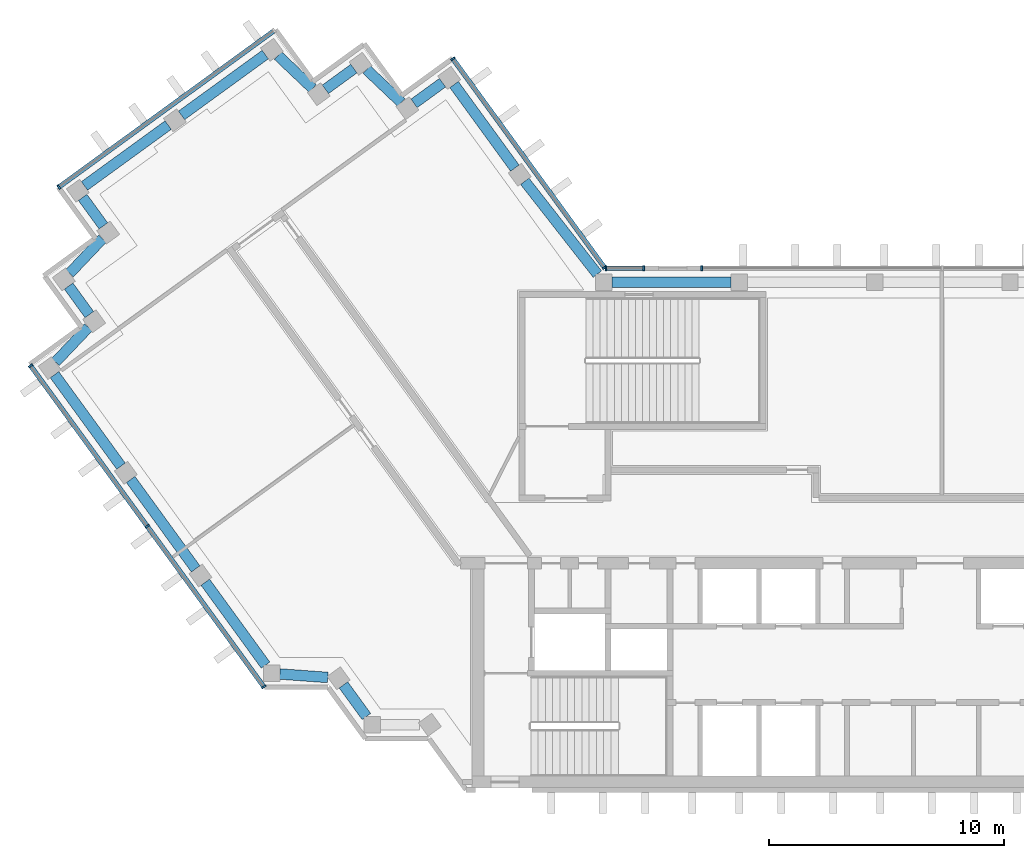
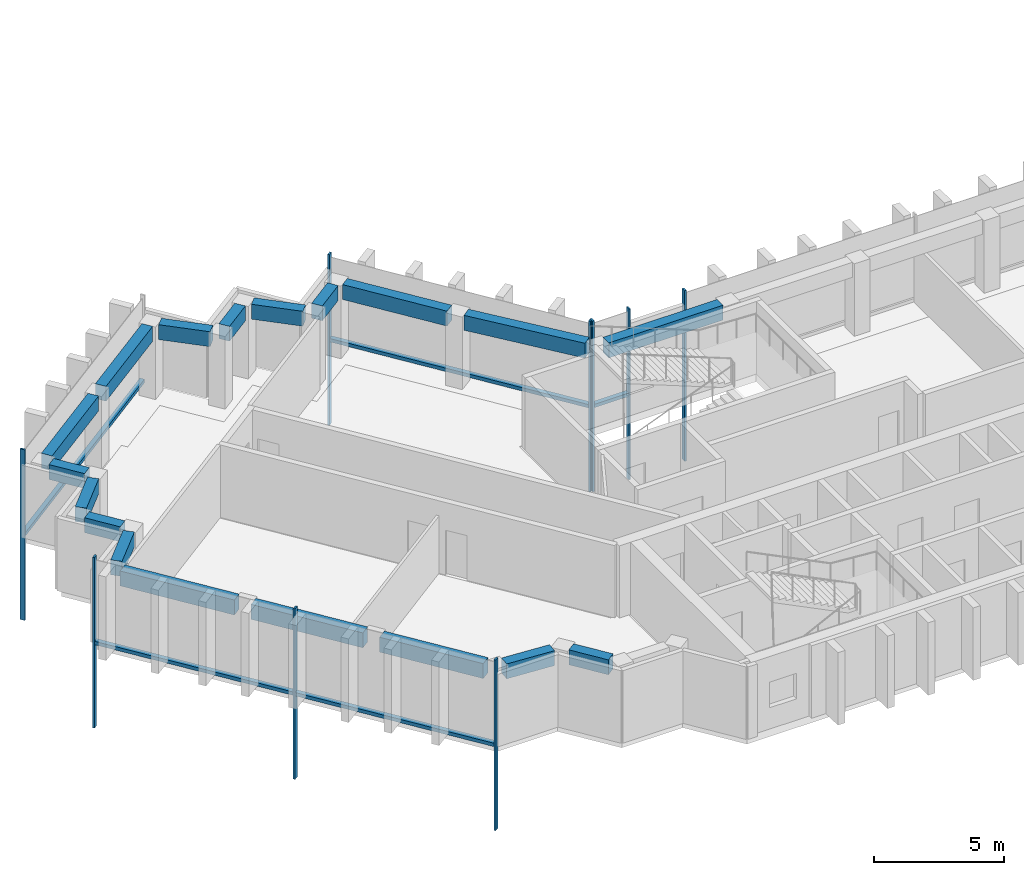
# One storey, part 2 of 13: 18 beams, 14 members, 5 elements without a shape of their own.
"""IFC4 building model written with IfcOpenShell, lengths in metres."""

import ifcopenshell
import ifcopenshell.guid

model = None  # the IFC model being written
_history = None  # IfcOwnerHistory: only IFC2X3 demands one
_inside = {}  # id of a spatial element -> (the spatial element, [elements in it])
_under = {}  # id of a project, library or spatial element -> (it, [spatial elements below it])
_declared = {}  # id of a project -> (the project, [libraries it declares])
_typed = {}  # id of a type object -> (the type object, [elements of that type])
_made_of = {}  # id of a material, layer set ... -> (it, [elements and type objects made of it])


def new_model(schema):
    """Start an empty IFC model of exactly this schema.

    Asked for "IFC4X3", IfcOpenShell would pick the latest addendum, in which some entities
    have other attributes; the version numbers below select the first issue.
    IFC2X3 requires an IfcOwnerHistory on every rooted entity: one is made here for all.
    """
    global model, _history
    if schema == "IFC4X3":
        model = ifcopenshell.file(schema_version=(4, 3, 0, 0))
    else:
        model = ifcopenshell.file(schema=schema)
    _inside.clear()
    _under.clear()
    _declared.clear()
    _typed.clear()
    _made_of.clear()
    _history = None
    if model.schema == "IFC2X3":
        org = make("IfcOrganization", Name="unknown")
        user = make(
            "IfcPersonAndOrganization",
            ThePerson=make("IfcPerson", FamilyName="unknown"),
            TheOrganization=org,
        )
        app = make(
            "IfcApplication",
            ApplicationDeveloper=org,
            Version="unknown",
            ApplicationFullName="unknown",
            ApplicationIdentifier="unknown",
        )
        _history = make(
            "IfcOwnerHistory",
            OwningUser=user,
            OwningApplication=app,
            ChangeAction="ADDED",
            CreationDate=0,
        )
    return model


def make(cls, **values):
    """One entity of the class cls with the attributes given. An attribute that is None is left unset."""
    return model.create_entity(
        cls, **{name: value for name, value in values.items() if value is not None}
    )


def rooted(cls, **values):
    """An entity with a GlobalId (a new one), such as an element, a storey or a relation."""
    return make(cls, GlobalId=ifcopenshell.guid.new(), OwnerHistory=_history, **values)


def si_unit(unit_type, name, prefix=None):
    """IfcSIUnit, for example si_unit("LENGTHUNIT", "METRE", prefix="MILLI")."""
    return make("IfcSIUnit", UnitType=unit_type, Prefix=prefix, Name=name)


def assignment(units):
    """IfcUnitAssignment: the units of a project."""
    return None if units is None else make("IfcUnitAssignment", Units=units)


def point(xyz):
    """IfcCartesianPoint."""
    return None if xyz is None else make("IfcCartesianPoint", Coordinates=xyz)


def direction(xyz):
    """IfcDirection."""
    return None if xyz is None else make("IfcDirection", DirectionRatios=xyz)


def frame(location, z_axis=None, x_axis=None):
    """IfcAxis2Placement3D, a coordinate frame: its origin and axes. An axis left out is left unset."""
    return make(
        "IfcAxis2Placement3D",
        Location=point(location),
        Axis=direction(z_axis),
        RefDirection=direction(x_axis),
    )


def frame_2d(location, x_axis=None):
    """IfcAxis2Placement2D, a coordinate frame in the plane: its origin and x axis."""
    return make(
        "IfcAxis2Placement2D", Location=point(location), RefDirection=direction(x_axis)
    )


def origin():
    """The frame at (0, 0, 0) with its axes left unset."""
    return frame((0.0, 0.0, 0.0))


def origin_2d():
    """The frame at (0, 0) in the plane with its x axis left unset."""
    return frame_2d((0.0, 0.0))


def place(relative_to, where):
    """IfcLocalPlacement: puts the frame where relative to a parent placement (None: the world)."""
    return make(
        "IfcLocalPlacement", PlacementRelTo=relative_to, RelativePlacement=where
    )


def context(
    kind, dimensions, precision=None, world=None, true_north=None, identifier=None
):
    """IfcGeometricRepresentationContext, for example the 3D "Model" context."""
    return make(
        "IfcGeometricRepresentationContext",
        ContextIdentifier=identifier,
        ContextType=kind,
        CoordinateSpaceDimension=dimensions,
        Precision=precision,
        WorldCoordinateSystem=world,
        TrueNorth=true_north,
    )


def subcontext(parent, identifier, kind, view, scale=None):
    """IfcGeometricRepresentationSubContext, for example "Body" below "Model"."""
    return make(
        "IfcGeometricRepresentationSubContext",
        ContextIdentifier=identifier,
        ContextType=kind,
        ParentContext=parent,
        TargetScale=scale,
        TargetView=view,
    )


def project(units=None, contexts=None):
    """IfcProject with its units and contexts."""
    return rooted(
        "IfcProject",
        Name="project",
        RepresentationContexts=contexts,
        UnitsInContext=assignment(units),
    )


def spatial(cls, under=None, at=None, **own):
    """A site, building, storey or space (cls), placed at a placement, below another one or the project."""
    s = rooted(cls, ObjectPlacement=at, **own)
    if under is not None:
        _under.setdefault(under.id(), (under, []))[1].append(s)
    return s


def profile(cls, at=None, kind="AREA", **sizes):
    """A parametric profile (cls). Its sizes go by their IFC names, for example OverallWidth=200.0."""
    return make(cls, ProfileType=kind, Position=at, **sizes)


def rectangle(**sizes):
    """IfcRectangleProfileDef."""
    return profile("IfcRectangleProfileDef", **sizes)


def extrude(swept, where, along, depth):
    """IfcExtrudedAreaSolid: the profile swept, set in the frame where, extruded along a direction by depth."""
    return make(
        "IfcExtrudedAreaSolid",
        SweptArea=swept,
        Position=where,
        ExtrudedDirection=direction(along),
        Depth=depth,
    )


def shape(context_of_items, identifier, shape_type, items):
    """IfcShapeRepresentation: the items that make up one representation, for example the "Body"."""
    return make(
        "IfcShapeRepresentation",
        ContextOfItems=context_of_items,
        RepresentationIdentifier=identifier,
        RepresentationType=shape_type,
        Items=items,
    )


def material(Name=None, Category=None):
    """IfcMaterial."""
    return make("IfcMaterial", Name=Name, Category=Category)


def material_profile(
    of_material, cross_section, Name=None, Category=None, Priority=None
):
    """IfcMaterialProfile: a cross section and its material."""
    return make(
        "IfcMaterialProfile",
        Name=Name,
        Material=of_material,
        Profile=cross_section,
        Priority=Priority,
        Category=Category,
    )


def profile_set(profiles, Name=None, composite=None):
    """IfcMaterialProfileSet."""
    return make(
        "IfcMaterialProfileSet",
        Name=Name,
        MaterialProfiles=profiles,
        CompositeProfile=composite,
    )


def made_of(thing, what):
    """Note that an element or type object is made of a material, layer set ...; save() writes the relation."""
    if what is not None:
        _made_of.setdefault(what.id(), (what, []))[1].append(thing)
    return thing


def type_object(cls, material=None, **own):
    """A type object (cls), such as IfcWallType, which elements share."""
    return made_of(rooted(cls, **own), material)


def element(
    cls,
    number,
    at=None,
    inside=None,
    cuts=None,
    type_object=None,
    material=None,
    context=None,
    identifier="Body",
    shape_type=None,
    held_by="IfcProductDefinitionShape",
    body=None,
    shapes=None,
    **own,
):
    """One element of the class cls, such as IfcWall. Its Tag is "e" and its number.

    at: its placement. inside: the storey or other place that contains it. cuts: it is an
    opening in that element (IfcRelVoidsElement). A single representation is given by context,
    identifier, shape_type and body (its items); several are given by shapes. held_by: the class
    of the entity that holds the representations. save() writes the other relations.
    """
    e = rooted(cls, Tag="e%d" % number, ObjectPlacement=at, **own)
    if body is not None:
        shapes = [shape(context, identifier, shape_type, body)]
    if shapes is not None:
        e.Representation = make(held_by, Representations=shapes)
    if inside is not None:
        _inside.setdefault(inside.id(), (inside, []))[1].append(e)
    if cuts is not None:
        rooted(
            "IfcRelVoidsElement", RelatingBuildingElement=cuts, RelatedOpeningElement=e
        )
    if type_object is not None:
        _typed.setdefault(type_object.id(), (type_object, []))[1].append(e)
    return made_of(e, material)


def aggregate(whole, parts):
    """IfcRelAggregates: a whole, such as a stair, and the parts it consists of."""
    return rooted("IfcRelAggregates", RelatingObject=whole, RelatedObjects=parts)


def save(model, path):
    """Write the relations noted so far, then the file.

    IfcRelAggregates (storeys below a building ...), IfcRelContainedInSpatialStructure (elements
    in a storey), IfcRelDefinesByType, IfcRelAssociatesMaterial and IfcRelDeclares: one each for
    every whole, place, type object, material and project.
    """
    for whole, parts in _under.values():
        aggregate(whole, parts)
    for where, things in _inside.values():
        rooted(
            "IfcRelContainedInSpatialStructure",
            RelatedElements=things,
            RelatingStructure=where,
        )
    for kind, things in _typed.values():
        rooted("IfcRelDefinesByType", RelatedObjects=things, RelatingType=kind)
    for what, things in _made_of.values():
        rooted("IfcRelAssociatesMaterial", RelatedObjects=things, RelatingMaterial=what)
    for by, libraries in _declared.values():
        rooted("IfcRelDeclares", RelatingContext=by, RelatedDefinitions=libraries)
    model.write(path)


model = new_model("IFC4")

# Units and contexts
model_context = context("Model", 3, precision=1e-05, world=origin(), true_north=direction((0.0, 1.0)))
body_context = subcontext(model_context, "Body", "Model", "MODEL_VIEW")
ifc_project = project(units=[si_unit("LENGTHUNIT", "METRE"), si_unit("AREAUNIT", "SQUARE_METRE"), si_unit("VOLUMEUNIT", "CUBIC_METRE"), si_unit("PLANEANGLEUNIT", "RADIAN"), si_unit("MASSUNIT", "GRAM", prefix="KILO")], contexts=[model_context])

# Site, building, storey
site_placement = place(None, origin())
site = spatial("IfcSite", under=ifc_project, at=site_placement, CompositionType="ELEMENT")
building_placement = place(site_placement, origin())
building = spatial("IfcBuilding", under=site, at=building_placement, Name="Quipu Civic Tower", CompositionType="ELEMENT")
storey_placement = place(building_placement, frame((0.0, 0.0, 297.0)))
storey = spatial("IfcBuildingStorey", under=building, at=storey_placement, Name="L69", CompositionType="ELEMENT", Elevation=297.0)

# Curtain wall, members
ifc_material_1 = material(Name="Insulated glass unit", Category="glass")
curtain_wall_type = type_object("IfcCurtainWallType", Name="Office curtain wall CW1", PredefinedType="NOTDEFINED", material=ifc_material_1)
curtain_wall_1_placement = place(storey_placement, origin())
curtain_wall_1 = element("IfcCurtainWall", 1, at=curtain_wall_1_placement, inside=storey, type_object=curtain_wall_type, Name="Office curtain wall CW1 L68 run 1", PredefinedType="NOTDEFINED")
ifc_material_2 = material(Name="Anodised aluminium", Category="aluminium")
ifc_material_profile_1 = material_profile(ifc_material_2, rectangle(XDim=0.199951171875, YDim=0.080078125, at=origin_2d()), Name="RECT 200x80")
ifc_profile_set_1 = profile_set([ifc_material_profile_1], Name="Anodised aluminium")
member_type_1 = type_object("IfcMemberType", Name="Mullion CW1", PredefinedType="MULLION", material=ifc_profile_set_1)
member_1_placement = place(storey_placement, frame((-14.36767578125, 11.13232421875, -3.919921875), z_axis=(0.0, 0.0, 1.0), x_axis=(-0.809015163947, -0.587787771652, 0.0)))
member_1 = element("IfcMember", 2, at=member_1_placement, type_object=member_type_1, Name="CW1 mullion 1", PredefinedType="MULLION", context=body_context, shape_type="SweptSolid", body=[
    extrude(rectangle(XDim=0.199951171875, YDim=0.080078125, at=origin_2d()), origin(), (0.0, 0.0, 1.0), 8.0),
])
member_2_placement = place(storey_placement, frame((-20.8125, 20.002685546875, -3.919921875), z_axis=(0.0, 0.0, 1.0), x_axis=(-0.809015163947, -0.587787771652, 0.0)))
member_2 = element("IfcMember", 3, at=member_2_placement, type_object=member_type_1, Name="CW1 mullion 2", PredefinedType="MULLION", context=body_context, shape_type="SweptSolid", body=[
    extrude(rectangle(XDim=0.199951171875, YDim=0.080078125, at=origin_2d()), origin(), (0.0, 0.0, 1.0), 8.0),
])

# Curtain wall, member
curtain_wall_2_placement = place(storey_placement, origin())
curtain_wall_2 = element("IfcCurtainWall", 4, at=curtain_wall_2_placement, inside=storey, type_object=curtain_wall_type, Name="Office curtain wall CW1 L68 run 6", PredefinedType="NOTDEFINED")
member_3_placement = place(storey_placement, frame((-37.569091796875, 14.552490234375, -3.919921875), z_axis=(0.0, 0.0, 1.0), x_axis=(0.587787753918, -0.809015176832, 0.0)))
member_3 = element("IfcMember", 5, at=member_3_placement, type_object=member_type_1, Name="CW1 mullion 2", PredefinedType="MULLION", context=body_context, shape_type="SweptSolid", body=[
    extrude(rectangle(XDim=0.199951171875, YDim=0.080078125, at=origin_2d()), origin(), (0.0, 0.0, 1.0), 8.0),
])

# Curtain wall, members
curtain_wall_3_placement = place(storey_placement, origin())
curtain_wall_3 = element("IfcCurtainWall", 6, at=curtain_wall_3_placement, inside=storey, type_object=curtain_wall_type, Name="Office curtain wall CW1 L68 run 11", PredefinedType="NOTDEFINED")
member_4_placement = place(storey_placement, frame((-38.772705078125, 6.953857421875, -3.919921875), z_axis=(0.0, 0.0, 1.0), x_axis=(0.809016278475, 0.587786237643, 0.0)))
member_4 = element("IfcMember", 7, at=member_4_placement, type_object=member_type_1, Name="CW1 mullion 1", PredefinedType="MULLION", context=body_context, shape_type="SweptSolid", body=[
    extrude(rectangle(XDim=0.199951171875, YDim=0.080078125, at=origin_2d()), origin(), (0.0, 0.0, 1.0), 8.0),
])
member_5_placement = place(storey_placement, frame((-33.81298828125, 0.12744140625, -3.919921875), z_axis=(0.0, 0.0, 1.0), x_axis=(0.809016278475, 0.587786237643, 0.0)))
member_5 = element("IfcMember", 8, at=member_5_placement, type_object=member_type_1, Name="CW1 mullion 2", PredefinedType="MULLION", context=body_context, shape_type="SweptSolid", body=[
    extrude(rectangle(XDim=0.199951171875, YDim=0.080078125, at=origin_2d()), origin(), (0.0, 0.0, 1.0), 8.0),
])
member_6_placement = place(storey_placement, frame((-28.853271484375, -6.698974609375, -3.919921875), z_axis=(0.0, 0.0, 1.0), x_axis=(0.809016278475, 0.587786237643, 0.0)))
member_6 = element("IfcMember", 9, at=member_6_placement, type_object=member_type_1, Name="CW1 mullion 3", PredefinedType="MULLION", context=body_context, shape_type="SweptSolid", body=[
    extrude(rectangle(XDim=0.199951171875, YDim=0.080078125, at=origin_2d()), origin(), (0.0, 0.0, 1.0), 8.0),
])

# Curtain wall, member
curtain_wall_4_placement = place(storey_placement, origin())
curtain_wall_4 = element("IfcCurtainWall", 10, at=curtain_wall_4_placement, inside=storey, type_object=curtain_wall_type, Name="Office curtain wall CW1 L68 run 36", PredefinedType="NOTDEFINED")
member_7_placement = place(storey_placement, frame((-10.223388671875, 11.10009765625, -3.919921875), z_axis=(0.0, 0.0, 1.0), x_axis=(0.0, -1.0, 0.0)))
member_7 = element("IfcMember", 11, at=member_7_placement, type_object=member_type_1, Name="CW1 mullion 3", PredefinedType="MULLION", context=body_context, shape_type="SweptSolid", body=[
    extrude(rectangle(XDim=0.199951171875, YDim=0.080078125, at=origin_2d()), origin(), (0.0, 0.0, 1.0), 8.0),
])
aggregate(curtain_wall_4, [member_7])

# Curtain wall, members
curtain_wall_5_placement = place(storey_placement, origin())
curtain_wall_5 = element("IfcCurtainWall", 12, at=curtain_wall_5_placement, inside=storey, type_object=curtain_wall_type, Name="Office curtain wall CW1 L68 run 38", PredefinedType="NOTDEFINED")
member_8_placement = place(storey_placement, frame((-12.695068359375, 11.10009765625, -3.919921875), z_axis=(0.0, 0.0, 1.0), x_axis=(0.0, -1.0, 0.0)))
member_8 = element("IfcMember", 13, at=member_8_placement, type_object=member_type_1, Name="CW1 mullion 1", PredefinedType="MULLION", context=body_context, shape_type="SweptSolid", body=[
    extrude(rectangle(XDim=0.199951171875, YDim=0.080078125, at=origin_2d()), origin(), (0.0, 0.0, 1.0), 8.0),
])
member_9_placement = place(storey_placement, frame((-14.30419921875, 11.10009765625, -3.919921875), z_axis=(0.0, 0.0, 1.0), x_axis=(0.0, -1.0, 0.0)))
member_9 = element("IfcMember", 14, at=member_9_placement, type_object=member_type_1, Name="CW1 mullion 2", PredefinedType="MULLION", context=body_context, shape_type="SweptSolid", body=[
    extrude(rectangle(XDim=0.199951171875, YDim=0.080078125, at=origin_2d()), origin(), (0.0, 0.0, 1.0), 8.0),
])

# Beams
ifc_material_3 = material(Name="Concrete C50/60", Category="concrete")
ifc_material_profile_2 = material_profile(ifc_material_3, rectangle(XDim=0.449951171875, YDim=0.699951171875, at=origin_2d()), Name="RC450x700")
ifc_profile_set_2 = profile_set([ifc_material_profile_2], Name="Concrete C50/60")
beam_type = type_object("IfcBeamType", Name="Spandrel beam RC 450x700 C50/60", PredefinedType="SPANDREL", material=ifc_profile_set_2)
beam_1_placement = place(storey_placement, frame((-18.179443359375, 15.358154296875, 3.050048828125), z_axis=(-0.588201428764, 0.808714460857, 0.0), x_axis=(-0.808714460857, -0.588201428764, 0.0)))
element("IfcBeam", 15, at=beam_1_placement, inside=storey, type_object=beam_type, Name="Spandrel beam L69 W-IN-01 to T-Wi.0-W22", PredefinedType="SPANDREL", context=body_context, shape_type="SweptSolid", body=[
    extrude(rectangle(XDim=0.449951171875, YDim=0.699951171875, at=origin_2d()), origin(), (0.0, 0.0, 1.0), 4.394287109375),
])
beam_2_placement = place(storey_placement, frame((-21.25341796875, 18.989501953125, 3.050048828125), z_axis=(-0.809461336076, -0.587173181776, 0.0), x_axis=(0.587173181776, -0.809461336076, 0.0)))
element("IfcBeam", 16, at=beam_2_placement, inside=storey, type_object=beam_type, Name="Spandrel beam L69 T-Wi.0-W22 to T-Wi.1-W22", PredefinedType="SPANDREL", context=body_context, shape_type="SweptSolid", body=[
    extrude(rectangle(XDim=0.449951171875, YDim=0.699951171875, at=origin_2d()), origin(), (0.0, 0.0, 1.0), 1.498046875),
])
beam_3_placement = place(storey_placement, frame((-23.00732421875, 18.1494140625, 3.050048828125), z_axis=(-0.72511931772, 0.6886232461, 0.0), x_axis=(-0.6886232461, -0.72511931772, 0.0)))
element("IfcBeam", 17, at=beam_3_placement, inside=storey, type_object=beam_type, Name="Spandrel beam L69 T-Wi.1-W22 to T-Wi.2-W22", PredefinedType="SPANDREL", context=body_context, shape_type="SweptSolid", body=[
    extrude(rectangle(XDim=0.449951171875, YDim=0.699951171875, at=origin_2d()), origin(), (0.0, 0.0, 1.0), 2.03369140625),
])
beam_4_placement = place(storey_placement, frame((-25.02294921875, 19.589111328125, 3.050048828125), z_axis=(-0.808644589435, -0.588297482553, 0.0), x_axis=(0.588297482553, -0.808644589435, 0.0)))
element("IfcBeam", 18, at=beam_4_placement, inside=storey, type_object=beam_type, Name="Spandrel beam L69 T-Wi.2-W22 to T-Wi.3-W22", PredefinedType="SPANDREL", context=body_context, shape_type="SweptSolid", body=[
    extrude(rectangle(XDim=0.449951171875, YDim=0.699951171875, at=origin_2d()), origin(), (0.0, 0.0, 1.0), 1.500244140625),
])
beam_5_placement = place(storey_placement, frame((-26.777099609375, 18.74560546875, 3.050048828125), z_axis=(-0.725359138958, 0.688370626574, 0.0), x_axis=(-0.688370626574, -0.725359138958, 0.0)))
element("IfcBeam", 19, at=beam_5_placement, inside=storey, type_object=beam_type, Name="Spandrel beam L69 T-Wi.3-W22 to T-Wi.4-W22", PredefinedType="SPANDREL", context=body_context, shape_type="SweptSolid", body=[
    extrude(rectangle(XDim=0.449951171875, YDim=0.699951171875, at=origin_2d()), origin(), (0.0, 0.0, 1.0), 2.032958984375),
])
beam_6_placement = place(storey_placement, frame((-28.793212890625, 20.184326171875, 3.050048828125), z_axis=(-0.809146152767, -0.587607439931, 0.0), x_axis=(0.587607439931, -0.809146152767, 0.0)))
element("IfcBeam", 20, at=beam_6_placement, inside=storey, type_object=beam_type, Name="Spandrel beam L69 T-Wi.4-W22 to TIP-W-01-W22", PredefinedType="SPANDREL", context=body_context, shape_type="SweptSolid", body=[
    extrude(rectangle(XDim=0.449951171875, YDim=0.699951171875, at=origin_2d()), origin(), (0.0, 0.0, 1.0), 4.400390625),
])
beam_7_placement = place(storey_placement, frame((-32.920166015625, 17.187255859375, 3.050048828125), z_axis=(-0.809117270763, -0.587647208921, 0.0), x_axis=(0.587647208921, -0.809117270763, 0.0)))
element("IfcBeam", 21, at=beam_7_placement, inside=storey, type_object=beam_type, Name="Spandrel beam L69 TIP-W-01-W22 to T-Wo.0-W22", PredefinedType="SPANDREL", context=body_context, shape_type="SweptSolid", body=[
    extrude(rectangle(XDim=0.449951171875, YDim=0.699951171875, at=origin_2d()), origin(), (0.0, 0.0, 1.0), 4.40185546875),
])
beam_8_placement = place(storey_placement, frame((-36.55908203125, 14.112060546875, 3.050048828125), z_axis=(0.588345920092, -0.808609348394, 0.0), x_axis=(0.808609348394, 0.588345920092, 0.0)))
element("IfcBeam", 22, at=beam_8_placement, inside=storey, type_object=beam_type, Name="Spandrel beam L69 T-Wo.0-W22 to T-Wo.1-W22", PredefinedType="SPANDREL", context=body_context, shape_type="SweptSolid", body=[
    extrude(rectangle(XDim=0.449951171875, YDim=0.699951171875, at=origin_2d()), origin(), (0.0, 0.0, 1.0), 1.499755859375),
])
beam_9_placement = place(storey_placement, frame((-35.7158203125, 12.358154296875, 3.050048828125), z_axis=(-0.688247466856, -0.725475998477, 0.0), x_axis=(0.725475998477, -0.688247466856, 0.0)))
element("IfcBeam", 23, at=beam_9_placement, inside=storey, type_object=beam_type, Name="Spandrel beam L69 T-Wo.1-W22 to T-Wo.2-W22", PredefinedType="SPANDREL", context=body_context, shape_type="SweptSolid", body=[
    extrude(rectangle(XDim=0.449951171875, YDim=0.699951171875, at=origin_2d()), origin(), (0.0, 0.0, 1.0), 2.032958984375),
])
beam_10_placement = place(storey_placement, frame((-37.154541015625, 10.341796875, 3.050048828125), z_axis=(0.587164895097, -0.809467347066, 0.0), x_axis=(0.809467347066, 0.587164895097, 0.0)))
element("IfcBeam", 24, at=beam_10_placement, inside=storey, type_object=beam_type, Name="Spandrel beam L69 T-Wo.2-W22 to T-Wo.3-W22", PredefinedType="SPANDREL", context=body_context, shape_type="SweptSolid", body=[
    extrude(rectangle(XDim=0.449951171875, YDim=0.699951171875, at=origin_2d()), origin(), (0.0, 0.0, 1.0), 1.500244140625),
])
beam_11_placement = place(storey_placement, frame((-36.3134765625, 8.586181640625, 3.050048828125), z_axis=(-0.689175330605, -0.724594620244, 0.0), x_axis=(0.724594620244, -0.689175330605, 0.0)))
element("IfcBeam", 25, at=beam_11_placement, inside=storey, type_object=beam_type, Name="Spandrel beam L69 T-Wo.3-W22 to T-Wo.4-W22", PredefinedType="SPANDREL", context=body_context, shape_type="SweptSolid", body=[
    extrude(rectangle(XDim=0.449951171875, YDim=0.699951171875, at=origin_2d()), origin(), (0.0, 0.0, 1.0), 2.033447265625),
])
beam_12_placement = place(storey_placement, frame((-37.754150390625, 6.57177734375, 3.050048828125), z_axis=(0.587905928359, -0.808929304328, 0.0), x_axis=(0.808929304328, 0.587905928359, 0.0)))
element("IfcBeam", 26, at=beam_12_placement, inside=storey, type_object=beam_type, Name="Spandrel beam L69 T-Wo.4-W22 to W-OUT-02", PredefinedType="SPANDREL", context=body_context, shape_type="SweptSolid", body=[
    extrude(rectangle(XDim=0.449951171875, YDim=0.699951171875, at=origin_2d()), origin(), (0.0, 0.0, 1.0), 4.80712890625),
])
beam_13_placement = place(storey_placement, frame((-34.5166015625, 2.116943359375, 3.050048828125), z_axis=(0.587788656305, -0.809014521204, 0.0), x_axis=(0.809014521204, 0.587788656305, 0.0)))
element("IfcBeam", 27, at=beam_13_placement, inside=storey, type_object=beam_type, Name="Spandrel beam L69 W-OUT-02 to W-OUT-01", PredefinedType="SPANDREL", context=body_context, shape_type="SweptSolid", body=[
    extrude(rectangle(XDim=0.449951171875, YDim=0.699951171875, at=origin_2d()), origin(), (0.0, 0.0, 1.0), 4.7001953125),
])
beam_14_placement = place(storey_placement, frame((-31.342529296875, -2.251953125, 3.050048828125), z_axis=(0.58777550284, -0.809024077677, 0.0), x_axis=(0.809024077677, 0.58777550284, 0.0)))
element("IfcBeam", 28, at=beam_14_placement, inside=storey, type_object=beam_type, Name="Spandrel beam L69 W-OUT-01 to J-Wo.0", PredefinedType="SPANDREL", context=body_context, shape_type="SweptSolid", body=[
    extrude(rectangle(XDim=0.449951171875, YDim=0.699951171875, at=origin_2d()), origin(), (0.0, 0.0, 1.0), 4.36083984375),
])
beam_15_placement = place(storey_placement, frame((-28.175048828125, -6.155517578125, 3.050048828125), z_axis=(0.99737333325, -0.072432272649, 0.0), x_axis=(0.072432272649, 0.99737333325, 0.0)))
element("IfcBeam", 29, at=beam_15_placement, inside=storey, type_object=beam_type, Name="Spandrel beam L69 J-Wo.0 to J-Wo.1", PredefinedType="SPANDREL", context=body_context, shape_type="SweptSolid", body=[
    extrude(rectangle(XDim=0.449951171875, YDim=0.699951171875, at=origin_2d()), origin(), (0.0, 0.0, 1.0), 2.04931640625),
])
beam_16_placement = place(storey_placement, frame((-25.468505859375, -6.6201171875, 3.050048828125), z_axis=(0.588407300614, -0.80856468423, 0.0), x_axis=(0.80856468423, 0.588407300614, 0.0)))
element("IfcBeam", 30, at=beam_16_placement, inside=storey, type_object=beam_type, Name="Spandrel beam L69 J-Wo.1 to J-Wo.2", PredefinedType="SPANDREL", context=body_context, shape_type="SweptSolid", body=[
    extrude(rectangle(XDim=0.449951171875, YDim=0.699951171875, at=origin_2d()), origin(), (0.0, 0.0, 1.0), 1.663330078125),
])
beam_17_placement = place(storey_placement, frame((-8.987060546875, 10.5, 3.050048828125), z_axis=(-1.0, 0.0, 0.0), x_axis=(0.0, -1.0, 0.0)))
element("IfcBeam", 31, at=beam_17_placement, inside=storey, type_object=beam_type, Name="Spandrel beam L69 FRONT-04 to J-Wi.0", PredefinedType="SPANDREL", context=body_context, shape_type="SweptSolid", body=[
    extrude(rectangle(XDim=0.449951171875, YDim=0.699951171875, at=origin_2d()), origin(), (0.0, 0.0, 1.0), 5.05810546875),
])
beam_18_placement = place(storey_placement, frame((-14.6689453125, 10.85009765625, 3.050048828125), z_axis=(-0.616106034519, 0.787663223865, 0.0), x_axis=(-0.787663223865, -0.616106034519, 0.0)))
element("IfcBeam", 32, at=beam_18_placement, inside=storey, type_object=beam_type, Name="Spandrel beam L69 J-Wi.0 to W-IN-01", PredefinedType="SPANDREL", context=body_context, shape_type="SweptSolid", body=[
    extrude(rectangle(XDim=0.449951171875, YDim=0.699951171875, at=origin_2d()), origin(), (0.0, 0.0, 1.0), 5.013427734375),
])

# Member
ifc_material_4 = material(Name="Anodised aluminium", Category="aluminium")
ifc_material_profile_3 = material_profile(ifc_material_4, rectangle(XDim=0.199951171875, YDim=0.159912109375, at=origin_2d()), Name="RECT 200x160")
ifc_profile_set_3 = profile_set([ifc_material_profile_3], Name="Anodised aluminium")
member_type_2 = type_object("IfcMemberType", Name="Transom CW1", PredefinedType="USERDEFINED", material=ifc_profile_set_3)
member_10_placement = place(storey_placement, frame((-14.39111328125, 11.164794921875, 0.080078125), z_axis=(-0.587796859727, 0.809008560953, 0.0), x_axis=(-0.809008560953, -0.587796859727, 0.0)))
member_10 = element("IfcMember", 33, at=member_10_placement, type_object=member_type_2, Name="CW1 transom 1.2", ObjectType="TRANSOM", PredefinedType="USERDEFINED", context=body_context, shape_type="SweptSolid", body=[
    extrude(rectangle(XDim=0.199951171875, YDim=0.159912109375, at=origin_2d()), origin(), (0.0, 0.0, 1.0), 10.88427734375),
])

aggregate(curtain_wall_1, [member_1, member_2, member_10])

member_11_placement = place(storey_placement, frame((-28.443359375, 21.1826171875, 0.080078125), z_axis=(-0.809022463805, -0.587777724194, 0.0), x_axis=(0.587777724194, -0.809022463805, 0.0)))
member_11 = element("IfcMember", 34, at=member_11_placement, type_object=member_type_2, Name="CW1 transom 1.2", ObjectType="TRANSOM", PredefinedType="USERDEFINED", context=body_context, shape_type="SweptSolid", body=[
    extrude(rectangle(XDim=0.199951171875, YDim=0.159912109375, at=origin_2d()), origin(), (0.0, 0.0, 1.0), 11.240234375),
])

aggregate(curtain_wall_2, [member_3, member_11])

member_12_placement = place(storey_placement, frame((-38.7490234375, 6.92138671875, 0.080078125), z_axis=(0.587779098815, -0.809021465102, 0.0), x_axis=(0.809021465102, 0.587779098815, 0.0)))
member_12 = element("IfcMember", 35, at=member_12_placement, type_object=member_type_2, Name="CW1 transom 1.2", ObjectType="TRANSOM", PredefinedType="USERDEFINED", context=body_context, shape_type="SweptSolid", body=[
    extrude(rectangle(XDim=0.199951171875, YDim=0.159912109375, at=origin_2d()), origin(), (0.0, 0.0, 1.0), 8.35791015625),
])

member_13_placement = place(storey_placement, frame((-33.78955078125, 0.094970703125, 0.080078125), z_axis=(0.587812107925, -0.808997481935, 0.0), x_axis=(0.808997481935, 0.587812107925, 0.0)))
member_13 = element("IfcMember", 36, at=member_13_placement, type_object=member_type_2, Name="CW1 transom 2.2", ObjectType="TRANSOM", PredefinedType="USERDEFINED", context=body_context, shape_type="SweptSolid", body=[
    extrude(rectangle(XDim=0.199951171875, YDim=0.159912109375, at=origin_2d()), origin(), (0.0, 0.0, 1.0), 8.35791015625),
])

aggregate(curtain_wall_3, [member_4, member_5, member_6, member_12, member_13])

member_14_placement = place(storey_placement, frame((-12.735107421875, 11.10009765625, 0.080078125), z_axis=(-1.0, 0.0, 0.0), x_axis=(0.0, -1.0, 0.0)))
member_14 = element("IfcMember", 37, at=member_14_placement, type_object=member_type_2, Name="CW1 transom 1.2", ObjectType="TRANSOM", PredefinedType="USERDEFINED", context=body_context, shape_type="SweptSolid", body=[
    extrude(rectangle(XDim=0.199951171875, YDim=0.159912109375, at=origin_2d()), origin(), (0.0, 0.0, 1.0), 1.529052734375),
])

aggregate(curtain_wall_5, [member_8, member_9, member_14])

save(model, "model.ifc")
